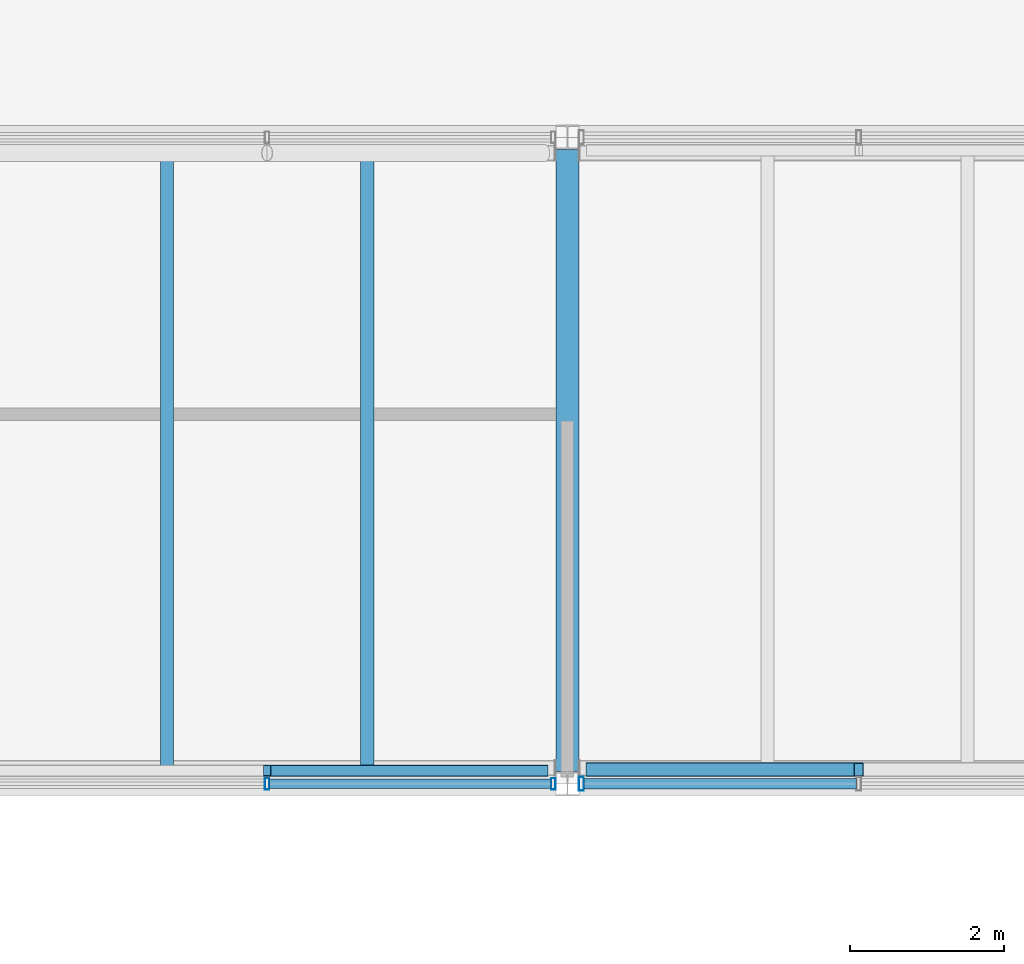
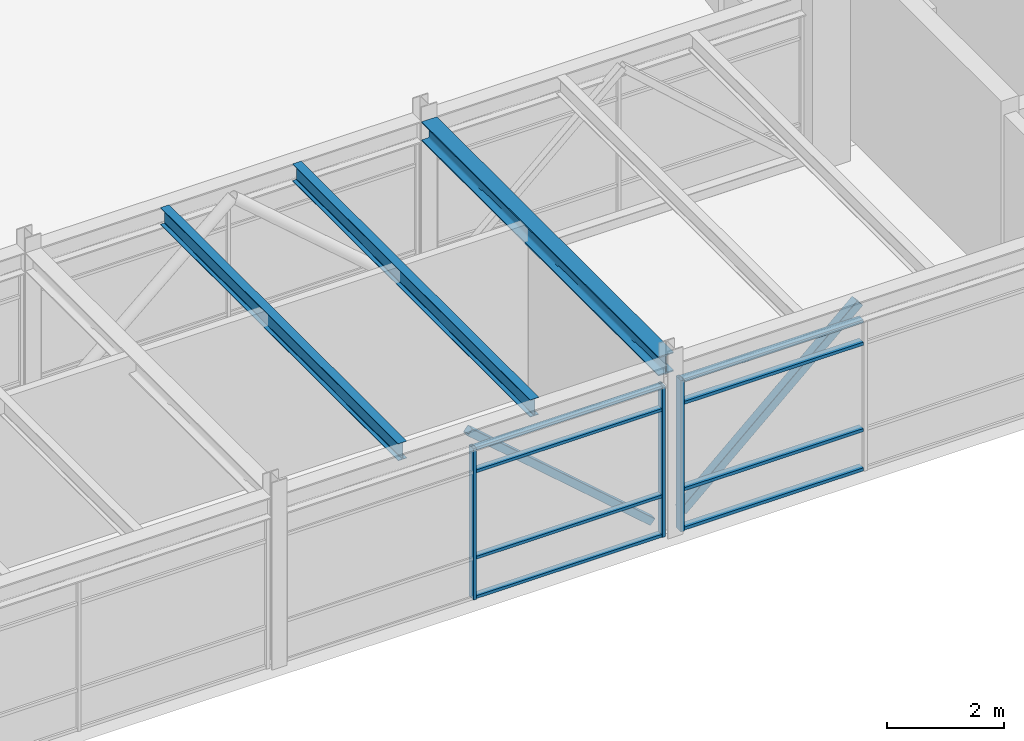
# One storey, part 36 of 72: 13 members, 3 beams, 2 elements without a shape of their own.
"""IFC4 building model written with IfcOpenShell, lengths in metres."""

from ifc_helpers import new_model, si_unit, direction, frame, origin, origin_2d, place, context, subcontext, project, spatial, hollow_rectangle, i_section, extrude, material, material_profile, profile_set, type_object, element, aggregate, save


model = new_model("IFC4")

# Units and contexts
model_context = context("Model", 3, precision=1e-05, world=origin(), true_north=direction((0.0, 1.0)))
body_context = subcontext(model_context, "Body", "Model", "MODEL_VIEW")
ifc_project = project(units=[si_unit("LENGTHUNIT", "METRE"), si_unit("AREAUNIT", "SQUARE_METRE"), si_unit("VOLUMEUNIT", "CUBIC_METRE"), si_unit("PLANEANGLEUNIT", "RADIAN"), si_unit("MASSUNIT", "GRAM", prefix="KILO"), si_unit("THERMODYNAMICTEMPERATUREUNIT", "KELVIN"), si_unit("POWERUNIT", "WATT")], contexts=[model_context])

# Site, building, storey
site_placement = place(None, origin())
site = spatial("IfcSite", under=ifc_project, at=site_placement, CompositionType="ELEMENT")
building_placement = place(site_placement, origin())
building = spatial("IfcBuilding", under=site, at=building_placement, Name="Srebrne Nadtorze General Hospital", CompositionType="ELEMENT")
storey_placement = place(building_placement, frame((0.0, 0.0, 22.199951171875)))
storey = spatial("IfcBuildingStorey", under=building, at=storey_placement, Name="L05", CompositionType="ELEMENT", Elevation=22.199951171875)

# Beam
ifc_material_1 = material(Name="Steel S355J2", Category="steel")
ifc_material_profile_1 = material_profile(ifc_material_1, i_section(OverallWidth=0.300048828125, OverallDepth=0.39990234375, WebThickness=0.013427734375, FlangeThickness=0.02392578125, FilletRadius=0.027099609375, at=origin_2d()), Name="HEB-400")
ifc_profile_set_1 = profile_set([ifc_material_profile_1], Name="Steel S355J2")
beam_type_1 = type_object("IfcBeamType", Name="Courtyard bridge girder HEB 400", PredefinedType="BEAM", material=ifc_profile_set_1)
beam_placement = place(storey_placement, frame((93.60009765625, 50.56005859375, 3.400146484375), z_axis=(0.0, 1.0, 0.0), x_axis=(-1.0, 0.0, 0.0)))
element("IfcBeam", 1, at=beam_placement, inside=storey, type_object=beam_type_1, Name="Beam BM-L05-Y-1092", PredefinedType="BEAM", context=body_context, shape_type="SweptSolid", body=[
    extrude(i_section(OverallWidth=0.300048828125, OverallDepth=0.39990234375, WebThickness=0.013427734375, FlangeThickness=0.02392578125, FilletRadius=0.027099609375, at=origin_2d()), origin(), (0.0, 0.0, 1.0), 8.079833984375),
])

# Curtain wall, members
ifc_material_2 = material(Name="Anodised Aluminium", Category="aluminium")
curtain_wall_type_1 = type_object("IfcCurtainWallType", Name="Bridge curtain wall 7500x3150", PredefinedType="NOTDEFINED", material=ifc_material_2)
curtain_wall_1_placement = place(storey_placement, origin())
curtain_wall_1 = element("IfcCurtainWall", 2, at=curtain_wall_1_placement, inside=storey, type_object=curtain_wall_type_1, Name="Curtain wall CW-122", PredefinedType="NOTDEFINED")
ifc_material_3 = material(Name="Anodised Aluminium", Category="aluminium")
ifc_material_profile_2 = material_profile(ifc_material_3, hollow_rectangle(XDim=0.06005859375, YDim=0.14990234375, WallThickness=0.00390625, at=origin_2d()), Name="AL-MUL-60x150")
ifc_profile_set_2 = profile_set([ifc_material_profile_2], Name="Anodised Aluminium")
member_type_1 = type_object("IfcMemberType", Name="Curtain mullion 60x150", PredefinedType="MULLION", material=ifc_profile_set_2)
member_1_placement = place(storey_placement, frame((89.699951171875, 50.39990234375, 0.0), z_axis=(0.0, 0.0, 1.0), x_axis=(1.0, 0.0, 0.0)))
member_1 = element("IfcMember", 3, at=member_1_placement, type_object=member_type_1, Name="CW-122 mullion 2", PredefinedType="MULLION", context=body_context, shape_type="SweptSolid", body=[
    extrude(hollow_rectangle(XDim=0.06005859375, YDim=0.14990234375, WallThickness=0.00390625, at=origin_2d()), origin(), (0.0, 0.0, 1.0), 3.150146484375),
])
member_2_placement = place(storey_placement, frame((93.419921875, 50.39990234375, 0.0), z_axis=(0.0, 0.0, 1.0), x_axis=(1.0, 0.0, 0.0)))
member_2 = element("IfcMember", 4, at=member_2_placement, type_object=member_type_1, Name="CW-122 mullion 3", PredefinedType="MULLION", context=body_context, shape_type="SweptSolid", body=[
    extrude(hollow_rectangle(XDim=0.06005859375, YDim=0.14990234375, WallThickness=0.00390625, at=origin_2d()), origin(), (0.0, 0.0, 1.0), 3.150146484375),
])

# Curtain wall, member
ifc_material_4 = material(Name="Anodised Aluminium", Category="aluminium")
curtain_wall_type_2 = type_object("IfcCurtainWallType", Name="Bridge curtain wall 7275x3150", PredefinedType="NOTDEFINED", material=ifc_material_4)
curtain_wall_2_placement = place(storey_placement, origin())
curtain_wall_2 = element("IfcCurtainWall", 5, at=curtain_wall_2_placement, inside=storey, type_object=curtain_wall_type_2, Name="Curtain wall CW-123", PredefinedType="NOTDEFINED")
ifc_material_5 = material(Name="Anodised Aluminium", Category="aluminium")
ifc_material_profile_3 = material_profile(ifc_material_5, hollow_rectangle(XDim=0.06494140625, YDim=0.179931640625, WallThickness=0.00390625, at=origin_2d()), Name="AL-MUL-65x180")
ifc_profile_set_3 = profile_set([ifc_material_profile_3], Name="Anodised Aluminium")
member_type_2 = type_object("IfcMemberType", Name="Curtain mullion 65x180", PredefinedType="MULLION", material=ifc_profile_set_3)
member_3_placement = place(storey_placement, frame((93.782470703125, 50.39990234375, 0.0), z_axis=(0.0, 0.0, 1.0), x_axis=(1.0, 0.0, 0.0)))
member_3 = element("IfcMember", 6, at=member_3_placement, type_object=member_type_2, Name="CW-123 mullion 1", PredefinedType="MULLION", context=body_context, shape_type="SweptSolid", body=[
    extrude(hollow_rectangle(XDim=0.06494140625, YDim=0.179931640625, WallThickness=0.00390625, at=origin_2d()), origin(), (0.0, 0.0, 1.0), 3.150146484375),
])

# Member
ifc_material_6 = material(Name="Anodised Aluminium", Category="aluminium")
ifc_material_profile_4 = material_profile(ifc_material_6, hollow_rectangle(XDim=0.06005859375, YDim=0.1201171875, WallThickness=0.00390625, at=origin_2d()), Name="AL-TRN-60x120")
ifc_profile_set_4 = profile_set([ifc_material_profile_4], Name="Anodised Aluminium")
member_type_3 = type_object("IfcMemberType", Name="Curtain transom 60x120", PredefinedType="USERDEFINED", material=ifc_profile_set_4)
member_4_placement = place(storey_placement, frame((89.72998046875, 50.39990234375, 0.030029296875), z_axis=(1.0, 0.0, 0.0), x_axis=(0.0, 0.0, 1.0)))
member_4 = element("IfcMember", 7, at=member_4_placement, type_object=member_type_3, Name="CW-122 transom 2.1", ObjectType="TRANSOM", PredefinedType="USERDEFINED", context=body_context, shape_type="SweptSolid", body=[
    extrude(hollow_rectangle(XDim=0.06005859375, YDim=0.1201171875, WallThickness=0.00390625, at=origin_2d()), origin(), (0.0, 0.0, 1.0), 3.659912109375),
])

member_5_placement = place(storey_placement, frame((89.72998046875, 50.39990234375, 0.85009765625), z_axis=(1.0, 0.0, 0.0), x_axis=(0.0, 0.0, 1.0)))
member_5 = element("IfcMember", 8, at=member_5_placement, type_object=member_type_3, Name="CW-122 transom 2.2", ObjectType="TRANSOM", PredefinedType="USERDEFINED", context=body_context, shape_type="SweptSolid", body=[
    extrude(hollow_rectangle(XDim=0.06005859375, YDim=0.1201171875, WallThickness=0.00390625, at=origin_2d()), origin(), (0.0, 0.0, 1.0), 3.659912109375),
])

member_6_placement = place(storey_placement, frame((89.72998046875, 50.39990234375, 2.650146484375), z_axis=(1.0, 0.0, 0.0), x_axis=(0.0, 0.0, 1.0)))
member_6 = element("IfcMember", 9, at=member_6_placement, type_object=member_type_3, Name="CW-122 transom 2.3", ObjectType="TRANSOM", PredefinedType="USERDEFINED", context=body_context, shape_type="SweptSolid", body=[
    extrude(hollow_rectangle(XDim=0.06005859375, YDim=0.1201171875, WallThickness=0.00390625, at=origin_2d()), origin(), (0.0, 0.0, 1.0), 3.659912109375),
])

member_7_placement = place(storey_placement, frame((89.72998046875, 50.39990234375, 3.1201171875), z_axis=(1.0, 0.0, 0.0), x_axis=(0.0, 0.0, 1.0)))
member_7 = element("IfcMember", 10, at=member_7_placement, type_object=member_type_3, Name="CW-122 transom 2.4", ObjectType="TRANSOM", PredefinedType="USERDEFINED", context=body_context, shape_type="SweptSolid", body=[
    extrude(hollow_rectangle(XDim=0.06005859375, YDim=0.1201171875, WallThickness=0.00390625, at=origin_2d()), origin(), (0.0, 0.0, 1.0), 3.659912109375),
])

aggregate(curtain_wall_1, [member_1, member_2, member_4, member_5, member_6, member_7])

ifc_material_7 = material(Name="Anodised Aluminium", Category="aluminium")
ifc_material_profile_5 = material_profile(ifc_material_7, hollow_rectangle(XDim=0.06494140625, YDim=0.139892578125, WallThickness=0.00390625, at=origin_2d()), Name="AL-TRN-65x140")
ifc_profile_set_5 = profile_set([ifc_material_profile_5], Name="Anodised Aluminium")
member_type_4 = type_object("IfcMemberType", Name="Curtain transom 65x140", PredefinedType="USERDEFINED", material=ifc_profile_set_5)
member_8_placement = place(storey_placement, frame((93.81494140625, 50.39990234375, 0.032470703125), z_axis=(1.0, 0.0, 0.0), x_axis=(0.0, 0.0, 1.0)))
member_8 = element("IfcMember", 11, at=member_8_placement, type_object=member_type_4, Name="CW-123 transom 1.1", ObjectType="TRANSOM", PredefinedType="USERDEFINED", context=body_context, shape_type="SweptSolid", body=[
    extrude(hollow_rectangle(XDim=0.06494140625, YDim=0.139892578125, WallThickness=0.00390625, at=origin_2d()), origin(), (0.0, 0.0, 1.0), 3.5400390625),
])

member_9_placement = place(storey_placement, frame((93.81494140625, 50.39990234375, 0.85009765625), z_axis=(1.0, 0.0, 0.0), x_axis=(0.0, 0.0, 1.0)))
member_9 = element("IfcMember", 12, at=member_9_placement, type_object=member_type_4, Name="CW-123 transom 1.2", ObjectType="TRANSOM", PredefinedType="USERDEFINED", context=body_context, shape_type="SweptSolid", body=[
    extrude(hollow_rectangle(XDim=0.06494140625, YDim=0.139892578125, WallThickness=0.00390625, at=origin_2d()), origin(), (0.0, 0.0, 1.0), 3.5400390625),
])

member_10_placement = place(storey_placement, frame((93.81494140625, 50.39990234375, 2.650146484375), z_axis=(1.0, 0.0, 0.0), x_axis=(0.0, 0.0, 1.0)))
member_10 = element("IfcMember", 13, at=member_10_placement, type_object=member_type_4, Name="CW-123 transom 1.3", ObjectType="TRANSOM", PredefinedType="USERDEFINED", context=body_context, shape_type="SweptSolid", body=[
    extrude(hollow_rectangle(XDim=0.06494140625, YDim=0.139892578125, WallThickness=0.00390625, at=origin_2d()), origin(), (0.0, 0.0, 1.0), 3.5400390625),
])

member_11_placement = place(storey_placement, frame((93.81494140625, 50.39990234375, 3.117431640625), z_axis=(1.0, 0.0, 0.0), x_axis=(0.0, 0.0, 1.0)))
member_11 = element("IfcMember", 14, at=member_11_placement, type_object=member_type_4, Name="CW-123 transom 1.4", ObjectType="TRANSOM", PredefinedType="USERDEFINED", context=body_context, shape_type="SweptSolid", body=[
    extrude(hollow_rectangle(XDim=0.06494140625, YDim=0.139892578125, WallThickness=0.00390625, at=origin_2d()), origin(), (0.0, 0.0, 1.0), 3.5400390625),
])

aggregate(curtain_wall_2, [member_3, member_8, member_9, member_10, member_11])

# Beams
ifc_material_8 = material(Name="Steel S355J2", Category="steel")
ifc_material_profile_6 = material_profile(ifc_material_8, i_section(OverallWidth=0.169921875, OverallDepth=0.360107421875, WebThickness=0.008056640625, FlangeThickness=0.0126953125, FilletRadius=0.01806640625, at=origin_2d()), Name="IPE-360")
ifc_profile_set_6 = profile_set([ifc_material_profile_6], Name="Steel S355J2")
beam_type_2 = type_object("IfcBeamType", Name="Deck joist IPE 360", PredefinedType="JOIST", material=ifc_profile_set_6)
for number, where, z_axis, x_axis, name in (
    (15, (88.39990234375, 50.544921875, 3.420166015625), (0.0, 1.0, 0.0), (-1.0, 0.0, 0.0), "Clinical courtyard bridge deck joist 160"),
    (16, (91.0, 50.544921875, 3.420166015625), (0.0, 1.0, 0.0), (-1.0, 0.0, 0.0), "Clinical courtyard bridge deck joist 161"),
):
    element("IfcBeam", number, at=place(storey_placement, frame(where, z_axis=z_axis, x_axis=x_axis)), inside=storey, type_object=beam_type_2, Name=name, PredefinedType="JOIST", context=body_context, shape_type="SweptSolid", body=[
        extrude(i_section(OverallWidth=0.169921875, OverallDepth=0.360107421875, WebThickness=0.008056640625, FlangeThickness=0.0126953125, FilletRadius=0.01806640625, at=origin_2d()), origin(), (0.0, 0.0, 1.0), 8.110107421875),
    ])

# Members
ifc_material_9 = material(Name="Steel S355J2", Category="steel")
ifc_material_profile_7 = material_profile(ifc_material_9, hollow_rectangle(XDim=0.179931640625, YDim=0.179931640625, WallThickness=0.008056640625, InnerFilletRadius=0.008056640625, OuterFilletRadius=0.011962890625, at=origin_2d()), Name="SHS-180x180x8")
ifc_profile_set_7 = profile_set([ifc_material_profile_7], Name="Steel S355J2")
member_type_5 = type_object("IfcMemberType", Name="Diagonal brace SHS 180x180x8", PredefinedType="BRACE", material=ifc_profile_set_7)
member_12_placement = place(storey_placement, frame((93.89990234375, 50.5849609375, 0.25), z_axis=(0.744213065874, 0.0, 0.667942297345), x_axis=(0.0, 1.0, 0.0)))
element("IfcMember", 17, at=member_12_placement, inside=storey, type_object=member_type_5, Name="Clinical courtyard bridge brace 11", PredefinedType="BRACE", context=body_context, shape_type="SweptSolid", body=[
    extrude(hollow_rectangle(XDim=0.179931640625, YDim=0.179931640625, WallThickness=0.008056640625, InnerFilletRadius=0.008056640625, OuterFilletRadius=0.011962890625, at=origin_2d()), origin(), (0.0, 0.0, 1.0), 4.686279296875),
])
ifc_material_10 = material(Name="Steel S355J2", Category="steel")
ifc_material_profile_8 = material_profile(ifc_material_10, hollow_rectangle(XDim=0.14990234375, YDim=0.14990234375, WallThickness=0.00634765625, InnerFilletRadius=0.006103515625, OuterFilletRadius=0.009033203125, at=origin_2d()), Name="SHS-150x150x6.3")
ifc_profile_set_8 = profile_set([ifc_material_profile_8], Name="Steel S355J2")
member_type_6 = type_object("IfcMemberType", Name="Wind brace SHS 150x150x6.3", PredefinedType="BRACE", material=ifc_profile_set_8)
member_13_placement = place(storey_placement, frame((93.300048828125, 50.570068359375, 0.25), z_axis=(-0.754646285498, 0.0, 0.656131834149), x_axis=(0.0, -1.0, 0.0)))
element("IfcMember", 18, at=member_13_placement, inside=storey, type_object=member_type_6, Name="Clinical courtyard bridge brace 10", PredefinedType="BRACE", context=body_context, shape_type="SweptSolid", body=[
    extrude(hollow_rectangle(XDim=0.14990234375, YDim=0.14990234375, WallThickness=0.00634765625, InnerFilletRadius=0.006103515625, OuterFilletRadius=0.009033203125, at=origin_2d()), origin(), (0.0, 0.0, 1.0), 4.7705078125),
])

save(model, "model.ifc")
